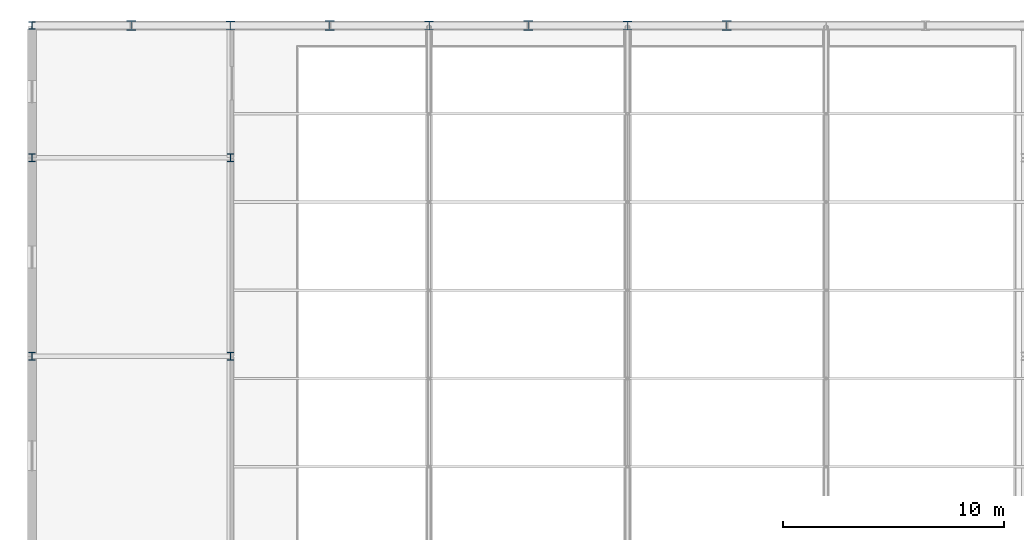
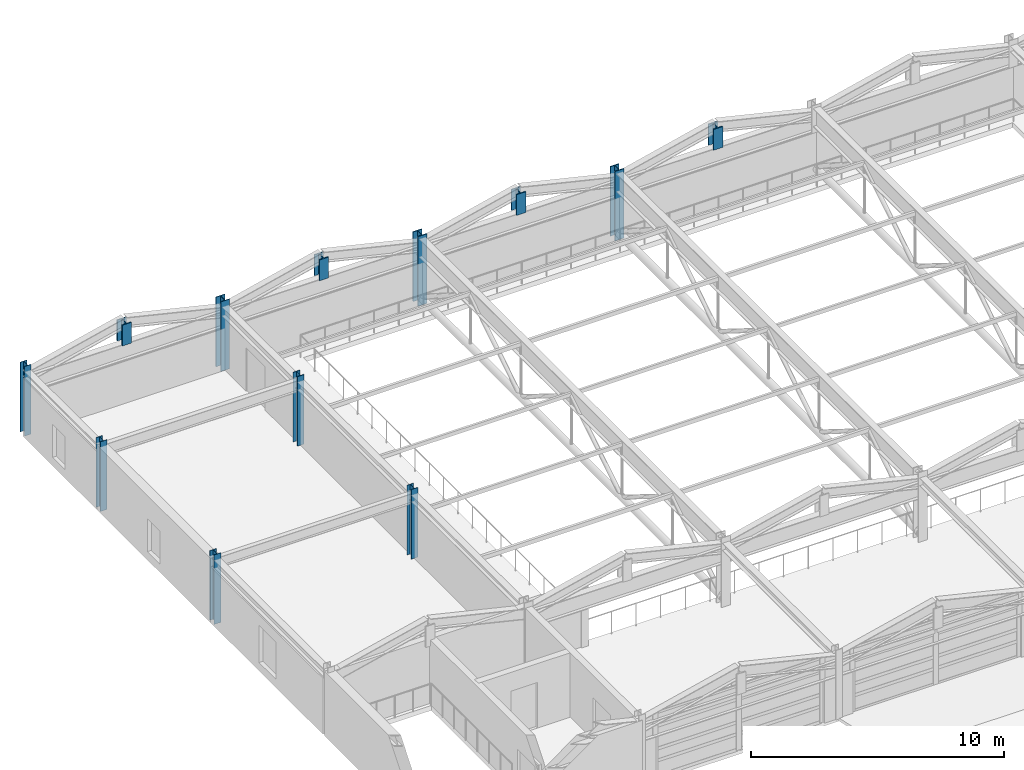
# One storey, part 9 of 91: 12 columns.
"""IFC4 building model written with IfcOpenShell, lengths in metres."""

import ifcopenshell
import ifcopenshell.guid

model = None  # the IFC model being written
_history = None  # IfcOwnerHistory: only IFC2X3 demands one
_inside = {}  # id of a spatial element -> (the spatial element, [elements in it])
_under = {}  # id of a project, library or spatial element -> (it, [spatial elements below it])
_declared = {}  # id of a project -> (the project, [libraries it declares])
_typed = {}  # id of a type object -> (the type object, [elements of that type])
_made_of = {}  # id of a material, layer set ... -> (it, [elements and type objects made of it])


def new_model(schema):
    """Start an empty IFC model of exactly this schema.

    Asked for "IFC4X3", IfcOpenShell would pick the latest addendum, in which some entities
    have other attributes; the version numbers below select the first issue.
    IFC2X3 requires an IfcOwnerHistory on every rooted entity: one is made here for all.
    """
    global model, _history
    if schema == "IFC4X3":
        model = ifcopenshell.file(schema_version=(4, 3, 0, 0))
    else:
        model = ifcopenshell.file(schema=schema)
    _inside.clear()
    _under.clear()
    _declared.clear()
    _typed.clear()
    _made_of.clear()
    _history = None
    if model.schema == "IFC2X3":
        org = make("IfcOrganization", Name="unknown")
        user = make(
            "IfcPersonAndOrganization",
            ThePerson=make("IfcPerson", FamilyName="unknown"),
            TheOrganization=org,
        )
        app = make(
            "IfcApplication",
            ApplicationDeveloper=org,
            Version="unknown",
            ApplicationFullName="unknown",
            ApplicationIdentifier="unknown",
        )
        _history = make(
            "IfcOwnerHistory",
            OwningUser=user,
            OwningApplication=app,
            ChangeAction="ADDED",
            CreationDate=0,
        )
    return model


def make(cls, **values):
    """One entity of the class cls with the attributes given. An attribute that is None is left unset."""
    return model.create_entity(
        cls, **{name: value for name, value in values.items() if value is not None}
    )


def rooted(cls, **values):
    """An entity with a GlobalId (a new one), such as an element, a storey or a relation."""
    return make(cls, GlobalId=ifcopenshell.guid.new(), OwnerHistory=_history, **values)


def si_unit(unit_type, name, prefix=None):
    """IfcSIUnit, for example si_unit("LENGTHUNIT", "METRE", prefix="MILLI")."""
    return make("IfcSIUnit", UnitType=unit_type, Prefix=prefix, Name=name)


def assignment(units):
    """IfcUnitAssignment: the units of a project."""
    return None if units is None else make("IfcUnitAssignment", Units=units)


def point(xyz):
    """IfcCartesianPoint."""
    return None if xyz is None else make("IfcCartesianPoint", Coordinates=xyz)


def direction(xyz):
    """IfcDirection."""
    return None if xyz is None else make("IfcDirection", DirectionRatios=xyz)


def frame(location, z_axis=None, x_axis=None):
    """IfcAxis2Placement3D, a coordinate frame: its origin and axes. An axis left out is left unset."""
    return make(
        "IfcAxis2Placement3D",
        Location=point(location),
        Axis=direction(z_axis),
        RefDirection=direction(x_axis),
    )


def frame_2d(location, x_axis=None):
    """IfcAxis2Placement2D, a coordinate frame in the plane: its origin and x axis."""
    return make(
        "IfcAxis2Placement2D", Location=point(location), RefDirection=direction(x_axis)
    )


def origin():
    """The frame at (0, 0, 0) with its axes left unset."""
    return frame((0.0, 0.0, 0.0))


def origin_2d():
    """The frame at (0, 0) in the plane with its x axis left unset."""
    return frame_2d((0.0, 0.0))


def place(relative_to, where):
    """IfcLocalPlacement: puts the frame where relative to a parent placement (None: the world)."""
    return make(
        "IfcLocalPlacement", PlacementRelTo=relative_to, RelativePlacement=where
    )


def context(
    kind, dimensions, precision=None, world=None, true_north=None, identifier=None
):
    """IfcGeometricRepresentationContext, for example the 3D "Model" context."""
    return make(
        "IfcGeometricRepresentationContext",
        ContextIdentifier=identifier,
        ContextType=kind,
        CoordinateSpaceDimension=dimensions,
        Precision=precision,
        WorldCoordinateSystem=world,
        TrueNorth=true_north,
    )


def subcontext(parent, identifier, kind, view, scale=None):
    """IfcGeometricRepresentationSubContext, for example "Body" below "Model"."""
    return make(
        "IfcGeometricRepresentationSubContext",
        ContextIdentifier=identifier,
        ContextType=kind,
        ParentContext=parent,
        TargetScale=scale,
        TargetView=view,
    )


def project(units=None, contexts=None):
    """IfcProject with its units and contexts."""
    return rooted(
        "IfcProject",
        Name="project",
        RepresentationContexts=contexts,
        UnitsInContext=assignment(units),
    )


def spatial(cls, under=None, at=None, **own):
    """A site, building, storey or space (cls), placed at a placement, below another one or the project."""
    s = rooted(cls, ObjectPlacement=at, **own)
    if under is not None:
        _under.setdefault(under.id(), (under, []))[1].append(s)
    return s


def profile(cls, at=None, kind="AREA", **sizes):
    """A parametric profile (cls). Its sizes go by their IFC names, for example OverallWidth=200.0."""
    return make(cls, ProfileType=kind, Position=at, **sizes)


def i_section(**sizes):
    """IfcIShapeProfileDef."""
    return profile("IfcIShapeProfileDef", **sizes)


def extrude(swept, where, along, depth):
    """IfcExtrudedAreaSolid: the profile swept, set in the frame where, extruded along a direction by depth."""
    return make(
        "IfcExtrudedAreaSolid",
        SweptArea=swept,
        Position=where,
        ExtrudedDirection=direction(along),
        Depth=depth,
    )


def shape(context_of_items, identifier, shape_type, items):
    """IfcShapeRepresentation: the items that make up one representation, for example the "Body"."""
    return make(
        "IfcShapeRepresentation",
        ContextOfItems=context_of_items,
        RepresentationIdentifier=identifier,
        RepresentationType=shape_type,
        Items=items,
    )


def material(Name=None, Category=None):
    """IfcMaterial."""
    return make("IfcMaterial", Name=Name, Category=Category)


def material_profile(
    of_material, cross_section, Name=None, Category=None, Priority=None
):
    """IfcMaterialProfile: a cross section and its material."""
    return make(
        "IfcMaterialProfile",
        Name=Name,
        Material=of_material,
        Profile=cross_section,
        Priority=Priority,
        Category=Category,
    )


def profile_set(profiles, Name=None, composite=None):
    """IfcMaterialProfileSet."""
    return make(
        "IfcMaterialProfileSet",
        Name=Name,
        MaterialProfiles=profiles,
        CompositeProfile=composite,
    )


def made_of(thing, what):
    """Note that an element or type object is made of a material, layer set ...; save() writes the relation."""
    if what is not None:
        _made_of.setdefault(what.id(), (what, []))[1].append(thing)
    return thing


def type_object(cls, material=None, **own):
    """A type object (cls), such as IfcWallType, which elements share."""
    return made_of(rooted(cls, **own), material)


def element(
    cls,
    number,
    at=None,
    inside=None,
    cuts=None,
    type_object=None,
    material=None,
    context=None,
    identifier="Body",
    shape_type=None,
    held_by="IfcProductDefinitionShape",
    body=None,
    shapes=None,
    **own,
):
    """One element of the class cls, such as IfcWall. Its Tag is "e" and its number.

    at: its placement. inside: the storey or other place that contains it. cuts: it is an
    opening in that element (IfcRelVoidsElement). A single representation is given by context,
    identifier, shape_type and body (its items); several are given by shapes. held_by: the class
    of the entity that holds the representations. save() writes the other relations.
    """
    e = rooted(cls, Tag="e%d" % number, ObjectPlacement=at, **own)
    if body is not None:
        shapes = [shape(context, identifier, shape_type, body)]
    if shapes is not None:
        e.Representation = make(held_by, Representations=shapes)
    if inside is not None:
        _inside.setdefault(inside.id(), (inside, []))[1].append(e)
    if cuts is not None:
        rooted(
            "IfcRelVoidsElement", RelatingBuildingElement=cuts, RelatedOpeningElement=e
        )
    if type_object is not None:
        _typed.setdefault(type_object.id(), (type_object, []))[1].append(e)
    return made_of(e, material)


def aggregate(whole, parts):
    """IfcRelAggregates: a whole, such as a stair, and the parts it consists of."""
    return rooted("IfcRelAggregates", RelatingObject=whole, RelatedObjects=parts)


def save(model, path):
    """Write the relations noted so far, then the file.

    IfcRelAggregates (storeys below a building ...), IfcRelContainedInSpatialStructure (elements
    in a storey), IfcRelDefinesByType, IfcRelAssociatesMaterial and IfcRelDeclares: one each for
    every whole, place, type object, material and project.
    """
    for whole, parts in _under.values():
        aggregate(whole, parts)
    for where, things in _inside.values():
        rooted(
            "IfcRelContainedInSpatialStructure",
            RelatedElements=things,
            RelatingStructure=where,
        )
    for kind, things in _typed.values():
        rooted("IfcRelDefinesByType", RelatedObjects=things, RelatingType=kind)
    for what, things in _made_of.values():
        rooted("IfcRelAssociatesMaterial", RelatedObjects=things, RelatingMaterial=what)
    for by, libraries in _declared.values():
        rooted("IfcRelDeclares", RelatingContext=by, RelatedDefinitions=libraries)
    model.write(path)


model = new_model("IFC4")

# Units and contexts
model_context = context("Model", 3, precision=1e-05, world=origin(), true_north=direction((0.0, 1.0)))
body_context = subcontext(model_context, "Body", "Model", "MODEL_VIEW")
ifc_project = project(units=[si_unit("LENGTHUNIT", "METRE"), si_unit("AREAUNIT", "SQUARE_METRE"), si_unit("VOLUMEUNIT", "CUBIC_METRE"), si_unit("PLANEANGLEUNIT", "RADIAN"), si_unit("MASSUNIT", "GRAM", prefix="KILO")], contexts=[model_context])

# Site, building, storey
site_placement = place(None, origin())
site = spatial("IfcSite", under=ifc_project, at=site_placement, CompositionType="ELEMENT")
building_placement = place(site_placement, origin())
building = spatial("IfcBuilding", under=site, at=building_placement, Name="Palais des Congres Ocreval", CompositionType="ELEMENT")
storey_placement = place(building_placement, frame((0.0, 0.0, 8.159912109375)))
storey = spatial("IfcBuildingStorey", under=building, at=storey_placement, Name="L02", CompositionType="ELEMENT", Elevation=8.159912109375)

# Columns
ifc_material_1 = material(Name="Steel S355", Category="steel")
ifc_material_profile_1 = material_profile(ifc_material_1, i_section(OverallWidth=0.406005859375, OverallDepth=0.416015625, WebThickness=0.0224609375, FlangeThickness=0.0380859375, at=origin_2d()), Name="HD 400x382")
ifc_profile_set_1 = profile_set([ifc_material_profile_1], Name="Steel S355")
column_type_1 = type_object("IfcColumnType", Name="Column HD 400x382 Steel S355", PredefinedType="COLUMN", material=ifc_profile_set_1)
for number, where, z_axis, x_axis, name in (
    (1, (9.0, 114.0, 0.0), (0.0, 0.0, 1.0), (1.0, 0.0, 0.0), "Column C03 L02"),
    (2, (18.0, 114.0, 0.0), (0.0, 0.0, 1.0), (1.0, 0.0, 0.0), "Column C03 L02"),
    (3, (27.0, 114.0, 0.0), (0.0, 0.0, 1.0), (1.0, 0.0, 0.0), "Column C03 L02"),
):
    element("IfcColumn", number, at=place(storey_placement, frame(where, z_axis=z_axis, x_axis=x_axis)), inside=storey, type_object=column_type_1, Name=name, PredefinedType="COLUMN", context=body_context, shape_type="SweptSolid", body=[
        extrude(i_section(OverallWidth=0.406005859375, OverallDepth=0.416015625, WebThickness=0.0224609375, FlangeThickness=0.0380859375, at=origin_2d()), origin(), (0.0, 0.0, 1.0), 3.360107421875),
    ])
ifc_material_2 = material(Name="Steel S460", Category="steel")
ifc_material_profile_2 = material_profile(ifc_material_2, i_section(OverallWidth=0.41796875, OverallDepth=0.455078125, WebThickness=0.031982421875, FlangeThickness=0.055908203125, at=origin_2d()), Name="HD 400x551")
ifc_profile_set_2 = profile_set([ifc_material_profile_2], Name="Steel S460")
column_type_2 = type_object("IfcColumnType", Name="Column HD 400x551 Steel S460", PredefinedType="COLUMN", material=ifc_profile_set_2)
for number, where, z_axis, x_axis, name in (
    (4, (4.5, 114.0, 2.820068359375), (0.0, 0.0, 1.0), (1.0, 0.0, 0.0), "ROOF TRUSS King-Post Strut V1-1-114"),
    (5, (13.5, 114.0, 2.820068359375), (0.0, 0.0, 1.0), (1.0, 0.0, 0.0), "ROOF TRUSS King-Post Strut V1-2-114"),
    (6, (22.5, 114.0, 2.820068359375), (0.0, 0.0, 1.0), (1.0, 0.0, 0.0), "ROOF TRUSS King-Post Strut V1-3-114"),
    (7, (31.5, 114.0, 2.820068359375), (0.0, 0.0, 1.0), (1.0, 0.0, 0.0), "ROOF TRUSS King-Post Strut V1-4-114"),
):
    element("IfcColumn", number, at=place(storey_placement, frame(where, z_axis=z_axis, x_axis=x_axis)), inside=storey, type_object=column_type_2, Name=name, PredefinedType="COLUMN", context=body_context, shape_type="SweptSolid", body=[
        extrude(i_section(OverallWidth=0.41796875, OverallDepth=0.455078125, WebThickness=0.031982421875, FlangeThickness=0.055908203125, at=origin_2d()), origin(), (0.0, 0.0, 1.0), 1.005126953125),
    ])
ifc_material_profile_3 = material_profile(ifc_material_1, i_section(OverallWidth=0.300048828125, OverallDepth=0.360107421875, WebThickness=0.012451171875, FlangeThickness=0.0224609375, at=origin_2d()), Name="HEB 360")
ifc_profile_set_3 = profile_set([ifc_material_profile_3], Name="Steel S355")
column_type_3 = type_object("IfcColumnType", Name="Column HEB 360 Steel S355", PredefinedType="COLUMN", material=ifc_profile_set_3)
for number, where, z_axis, x_axis, name in (
    (8, (0.0, 99.0, 0.0), (0.0, 0.0, 1.0), (1.0, 0.0, 0.0), "Column C11 L02"),
    (9, (0.0, 108.0, 0.0), (0.0, 0.0, 1.0), (1.0, 0.0, 0.0), "Column C11 L02"),
    (10, (0.0, 114.0, 0.0), (0.0, 0.0, 1.0), (1.0, 0.0, 0.0), "Column C11 L02"),
    (11, (9.0, 99.0, 0.0), (0.0, 0.0, 1.0), (1.0, 0.0, 0.0), "Column C11 L02"),
    (12, (9.0, 108.0, 0.0), (0.0, 0.0, 1.0), (1.0, 0.0, 0.0), "Column C11 L02"),
):
    element("IfcColumn", number, at=place(storey_placement, frame(where, z_axis=z_axis, x_axis=x_axis)), inside=storey, type_object=column_type_3, Name=name, PredefinedType="COLUMN", context=body_context, shape_type="SweptSolid", body=[
        extrude(i_section(OverallWidth=0.300048828125, OverallDepth=0.360107421875, WebThickness=0.012451171875, FlangeThickness=0.0224609375, at=origin_2d()), origin(), (0.0, 0.0, 1.0), 3.360107421875),
    ])

save(model, "model.ifc")
